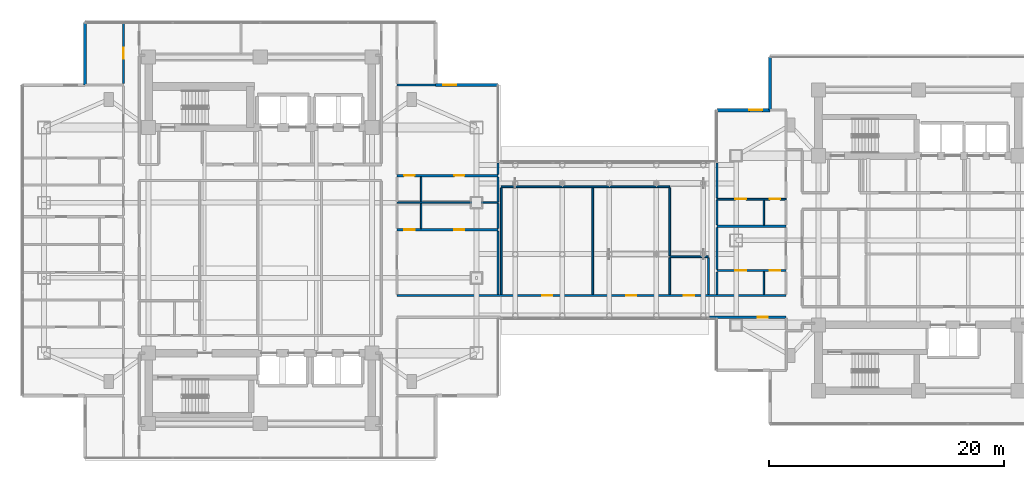
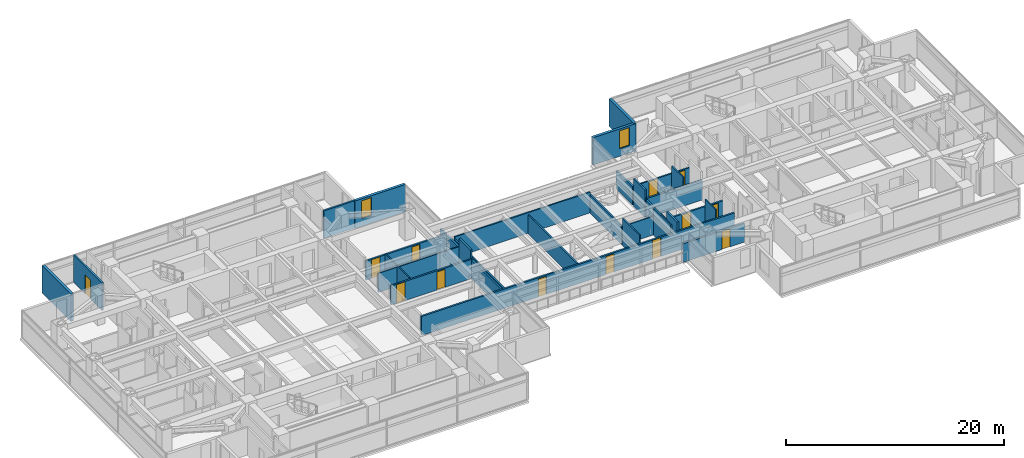
# One storey, part 18 of 29: 33 walls, 13 doors, 2 windows, 15 openings.
"""IFC4 building model written with IfcOpenShell, lengths in metres."""

from ifc_helpers import new_model, si_unit, direction, frame, frame_2d, origin, place, context, subcontext, project, spatial, rectangle, extrude, material, layer, layer_set, type_object, element, fill, save


model = new_model("IFC4")

# Units and contexts
model_context = context("Model", 3, precision=1e-05, world=origin(), true_north=direction((0.0, 1.0)))
body_context = subcontext(model_context, "Body", "Model", "MODEL_VIEW")
ifc_project = project(units=[si_unit("LENGTHUNIT", "METRE"), si_unit("AREAUNIT", "SQUARE_METRE"), si_unit("VOLUMEUNIT", "CUBIC_METRE"), si_unit("PLANEANGLEUNIT", "RADIAN"), si_unit("MASSUNIT", "GRAM", prefix="KILO")], contexts=[model_context])

# Site, building, storey
site_placement = place(None, origin())
site = spatial("IfcSite", under=ifc_project, at=site_placement, CompositionType="ELEMENT")
building_placement = place(site_placement, origin())
building = spatial("IfcBuilding", under=site, at=building_placement, Name="Mirazonda Arch Towers", CompositionType="ELEMENT")
storey_placement = place(building_placement, frame((0.0, 0.0, 88.39990234375)))
storey = spatial("IfcBuildingStorey", under=building, at=storey_placement, Name="L24", CompositionType="ELEMENT", Elevation=88.39990234375)

# Wall
ifc_material_1 = material(Name="Precast Concrete C40/50", Category="concrete")
ifc_layer_1 = layer(ifc_material_1, 0.280029296875, Name="WALL-EXT-WALL-280")
ifc_layer_set_1 = layer_set([ifc_layer_1], Name="Precast Concrete C40/50")
wall_type_1 = type_object("IfcWallType", Name="WALL-EXT-WALL-280", PredefinedType="SOLIDWALL", material=ifc_layer_set_1)
wall_1_placement = place(storey_placement, frame((5.574951171875, 46.530029296875, 0.0), z_axis=(0.0, 0.0, 1.0), x_axis=(0.0, -1.0, 0.0)))
element("IfcWall", 1, at=wall_1_placement, inside=storey, type_object=wall_type_1, Name="L24 T1 Corner Notch Return Wall WL-L24-T1-CNW2", PredefinedType="SOLIDWALL", context=body_context, shape_type="SweptSolid", body=[
    extrude(rectangle(XDim=5.304931640625, YDim=0.280029296875, at=frame_2d((2.65234375, 0.0))), origin(), (0.0, 0.0, 1.0), 3.06005859375),
])

# Wall, opening, window
wall_2_placement = place(storey_placement, frame((40.72998046875, 41.22509765625, 0.0), z_axis=(0.0, 0.0, 1.0), x_axis=(-1.0, 0.0, 0.0)))
wall_2 = element("IfcWall", 2, at=wall_2_placement, inside=storey, type_object=wall_type_1, Name="L24 T1 Corner Notch Return Wall WL-L24-T1-CNE2", PredefinedType="SOLIDWALL", context=body_context, shape_type="SweptSolid", body=[
    extrude(rectangle(XDim=5.304931640625, YDim=0.280029296875, at=frame_2d((2.65234375, 0.0))), origin(), (0.0, 0.0, 1.0), 3.06005859375),
])
opening_1_placement = place(wall_2_placement, frame((3.554931640625, 0.0, 0.85009765625)))
opening_1 = element("IfcOpeningElement", 3, at=opening_1_placement, cuts=wall_2, Name="Opening WN-108", PredefinedType="OPENING", context=body_context, shape_type="SweptSolid", body=[
    extrude(rectangle(XDim=1.10009765625, YDim=2.0, at=frame_2d((0.550048828125, 1.0))), frame((0.0, 0.14990234375, 0.0), z_axis=(0.0, -1.0, 0.0), x_axis=(1.0, 0.0, 0.0)), (0.0, 0.0, 1.0), 0.300048828125),
])
ifc_material_2 = material(Name="Insulated Low-E Solar Glass", Category="glass")
window_type = type_object("IfcWindowType", Name="WIN-NOTCH-1100x2000", PartitioningType="SINGLE_PANEL", PredefinedType="WINDOW", material=ifc_material_2)
window_1_placement = place(opening_1_placement, origin())
window_1 = element("IfcWindow", 4, at=window_1_placement, inside=storey, type_object=window_type, Name="L24 Punched Facade Window WN-L24-T1-CNE2", OverallHeight=2.0, OverallWidth=1.10009765625, PartitioningType="SINGLE_PANEL", PredefinedType="WINDOW", context=body_context, shape_type="SweptSolid", body=[
    extrude(rectangle(XDim=1.10009765625, YDim=2.0, at=frame_2d((0.550048828125, 1.0))), frame((0.0, 0.030029296875, 0.0), z_axis=(0.0, -1.0, 0.0), x_axis=(1.0, 0.0, 0.0)), (0.0, 0.0, 1.0), 0.06005859375),
])
fill(opening_1, window_1)

wall_3_placement = place(storey_placement, frame((63.873779296875, 39.081298828125, 0.0), z_axis=(0.0, 0.0, 1.0), x_axis=(-1.0, 0.0, 0.0)))
wall_3 = element("IfcWall", 5, at=wall_3_placement, inside=storey, type_object=wall_type_1, Name="L24 T2 Corner Notch Return Wall WL-L24-T2-CNW1", PredefinedType="SOLIDWALL", context=body_context, shape_type="SweptSolid", body=[
    extrude(rectangle(XDim=4.516357421875, YDim=0.280029296875, at=frame_2d((2.25830078125, 0.0))), origin(), (0.0, 0.0, 1.0), 3.06005859375),
])
opening_2_placement = place(wall_3_placement, frame((0.64990234375, 0.0, 0.85009765625)))
opening_2 = element("IfcOpeningElement", 6, at=opening_2_placement, cuts=wall_3, Name="Opening WN-108", PredefinedType="OPENING", context=body_context, shape_type="SweptSolid", body=[
    extrude(rectangle(XDim=1.10009765625, YDim=2.0, at=frame_2d((0.550048828125, 1.0))), frame((0.0, 0.14990234375, 0.0), z_axis=(0.0, -1.0, 0.0), x_axis=(1.0, 0.0, 0.0)), (0.0, 0.0, 1.0), 0.300048828125),
])
window_2_placement = place(opening_2_placement, origin())
window_2 = element("IfcWindow", 7, at=window_2_placement, inside=storey, type_object=window_type, Name="L24 Punched Facade Window WN-L24-T2-CNW1", OverallHeight=2.0, OverallWidth=1.10009765625, PartitioningType="SINGLE_PANEL", PredefinedType="WINDOW", context=body_context, shape_type="SweptSolid", body=[
    extrude(rectangle(XDim=1.10009765625, YDim=2.0, at=frame_2d((0.550048828125, 1.0))), frame((0.0, 0.030029296875, 0.0), z_axis=(0.0, -1.0, 0.0), x_axis=(1.0, 0.0, 0.0)), (0.0, 0.0, 1.0), 0.06005859375),
])
fill(opening_2, window_2)

# Walls
wall_4_placement = place(storey_placement, frame((63.873779296875, 43.597412109375, 0.0), z_axis=(0.0, 0.0, 1.0), x_axis=(0.0, -1.0, 0.0)))
element("IfcWall", 8, at=wall_4_placement, inside=storey, type_object=wall_type_1, Name="L24 T2 Corner Notch Return Wall WL-L24-T2-CNW2", PredefinedType="SOLIDWALL", context=body_context, shape_type="SweptSolid", body=[
    extrude(rectangle(XDim=4.51611328125, YDim=0.280029296875, at=frame_2d((2.258056640625, 0.0))), origin(), (0.0, 0.0, 1.0), 3.06005859375),
])
ifc_material_3 = material(Name="Fire-Rated Gypsum Stud Partition")
ifc_layer_2 = layer(ifc_material_3, 0.14990234375, Name="WALL-PART-CORR-150")
ifc_layer_set_2 = layer_set([ifc_layer_2], Name="Fire-Rated Gypsum Stud Partition")
wall_type_2 = type_object("IfcWallType", Name="WALL-PART-CORR-150", PredefinedType="PARTITIONING", material=ifc_layer_set_2)
wall_5_placement = place(storey_placement, frame((55.337890625, 26.60009765625, 0.0), z_axis=(0.0, 0.0, 1.0), x_axis=(1.0, 0.0, 0.0)))
element("IfcWall", 9, at=wall_5_placement, inside=storey, type_object=wall_type_2, Name="L24 Interior Partition 031", PredefinedType="PARTITIONING", context=body_context, shape_type="SweptSolid", body=[
    extrude(rectangle(XDim=3.300048828125, YDim=0.14990234375, at=frame_2d((1.64990234375, 0.0))), origin(), (0.0, 0.0, 1.0), 2.085205078125),
])

# Wall, openings, doors
wall_6_placement = place(storey_placement, frame((59.35791015625, 31.5, 0.0), z_axis=(0.0, 0.0, 1.0), x_axis=(1.0, 0.0, 0.0)))
wall_6 = element("IfcWall", 10, at=wall_6_placement, inside=storey, type_object=wall_type_2, Name="L24 Interior Partition 041", PredefinedType="PARTITIONING", context=body_context, shape_type="SweptSolid", body=[
    extrude(rectangle(XDim=5.89208984375, YDim=0.14990234375, at=frame_2d((2.946044921875, 0.0))), origin(), (0.0, 0.0, 1.0), 2.216064453125),
])
opening_3_placement = place(wall_6_placement, frame((1.548583984375, 0.0, 0.0)))
opening_3 = element("IfcOpeningElement", 11, at=opening_3_placement, cuts=wall_6, Name="Opening DR-104", PredefinedType="OPENING", context=body_context, shape_type="SweptSolid", body=[
    extrude(rectangle(XDim=0.949951171875, YDim=2.14990234375, at=frame_2d((0.47509765625, 1.074951171875))), frame((0.0, 0.0849609375, 0.0), z_axis=(0.0, -1.0, 0.0), x_axis=(1.0, 0.0, 0.0)), (0.0, 0.0, 1.0), 0.169921875),
])
opening_4_placement = place(wall_6_placement, frame((4.4794921875, 0.0, 0.0)))
opening_4 = element("IfcOpeningElement", 12, at=opening_4_placement, cuts=wall_6, Name="Opening DR-120", PredefinedType="OPENING", context=body_context, shape_type="SweptSolid", body=[
    extrude(rectangle(XDim=0.89990234375, YDim=2.10009765625, at=frame_2d((0.449951171875, 1.050048828125))), frame((0.0, 0.0849609375, 0.0), z_axis=(0.0, -1.0, 0.0), x_axis=(1.0, 0.0, 0.0)), (0.0, 0.0, 1.0), 0.169921875),
])
ifc_material_4 = material(Name="Architectural Brushed Steel S355", Category="steel")
door_type_1 = type_object("IfcDoorType", Name="DOOR-ROOM-950", OperationType="NOTDEFINED", PredefinedType="DOOR", material=ifc_material_4)
door_1_placement = place(opening_3_placement, origin())
door_1 = element("IfcDoor", 13, at=door_1_placement, inside=storey, type_object=door_type_1, Name="L24 Guestroom Study 2 Door", OperationType="SINGLE_SWING_LEFT", OverallHeight=2.14990234375, OverallWidth=0.949951171875, PredefinedType="DOOR", context=body_context, shape_type="SweptSolid", body=[
    extrude(rectangle(XDim=0.949951171875, YDim=2.14990234375, at=frame_2d((0.47509765625, 1.074951171875))), frame((0.0, 0.02490234375, 0.0), z_axis=(0.0, -1.0, 0.0), x_axis=(1.0, 0.0, 0.0)), (0.0, 0.0, 1.0), 0.050048828125),
])
fill(opening_3, door_1)
door_type_2 = type_object("IfcDoorType", Name="DOOR-WC-900", OperationType="NOTDEFINED", PredefinedType="DOOR", material=ifc_material_4)
door_2_placement = place(opening_4_placement, origin())
door_2 = element("IfcDoor", 14, at=door_2_placement, inside=storey, type_object=door_type_2, Name="L24 En-Suite Bathroom 2 Door", OperationType="SINGLE_SWING_RIGHT", OverallHeight=2.10009765625, OverallWidth=0.89990234375, PredefinedType="DOOR", context=body_context, shape_type="SweptSolid", body=[
    extrude(rectangle(XDim=0.89990234375, YDim=2.10009765625, at=frame_2d((0.449951171875, 1.050048828125))), frame((0.0, 0.02490234375, 0.0), z_axis=(0.0, -1.0, 0.0), x_axis=(1.0, 0.0, 0.0)), (0.0, 0.0, 1.0), 0.050048828125),
])
fill(opening_4, door_2)

# Walls
wall_7_placement = place(storey_placement, frame((41.0, 32.550048828125, 0.0), z_axis=(0.0, 0.0, 1.0), x_axis=(1.0, 0.0, 0.0)))
element("IfcWall", 15, at=wall_7_placement, inside=storey, type_object=wall_type_2, Name="L24 Interior Partition 044", PredefinedType="PARTITIONING", context=body_context, shape_type="SweptSolid", body=[
    extrude(rectangle(XDim=14.337890625, YDim=0.14990234375, at=frame_2d((7.1689453125, 0.0))), origin(), (0.0, 0.0, 1.0), 2.316162109375),
])
for number, where, z_axis, x_axis, name in (
    (16, (41.0, 23.39990234375, 0.0), (0.0, 0.0, 1.0), (0.0, 1.0, 0.0), "L24 Interior Partition 124"),
    (17, (48.800048828125, 23.39990234375, 0.0), (0.0, 0.0, 1.0), (0.0, 1.0, 0.0), "L24 Interior Partition 125"),
):
    element("IfcWall", number, at=place(storey_placement, frame(where, z_axis=z_axis, x_axis=x_axis)), inside=storey, type_object=wall_type_2, Name=name, PredefinedType="PARTITIONING", context=body_context, shape_type="SweptSolid", body=[
        extrude(rectangle(XDim=9.065185546875, YDim=0.14990234375, at=frame_2d((4.53271484375, 0.0))), origin(), (0.0, 0.0, 1.0), 2.085205078125),
    ])
wall_8_placement = place(storey_placement, frame((55.337890625, 23.39990234375, 0.0), z_axis=(0.0, 0.0, 1.0), x_axis=(0.0, 1.0, 0.0)))
element("IfcWall", 18, at=wall_8_placement, inside=storey, type_object=wall_type_2, Name="L24 Interior Partition 126", PredefinedType="PARTITIONING", context=body_context, shape_type="SweptSolid", body=[
    extrude(rectangle(XDim=3.114990234375, YDim=0.14990234375, at=frame_2d((1.5576171875, 0.0))), origin(), (0.0, 0.0, 1.0), 3.02001953125),
])
wall_9_placement = place(storey_placement, frame((55.337890625, 26.68505859375, 0.0), z_axis=(0.0, 0.0, 1.0), x_axis=(0.0, 1.0, 0.0)))
element("IfcWall", 19, at=wall_9_placement, inside=storey, type_object=wall_type_2, Name="L24 Interior Partition 127", PredefinedType="PARTITIONING", context=body_context, shape_type="SweptSolid", body=[
    extrude(rectangle(XDim=5.780029296875, YDim=0.14990234375, at=frame_2d((2.89013671875, 0.0))), origin(), (0.0, 0.0, 1.0), 2.085205078125),
])
wall_10_placement = place(storey_placement, frame((58.637939453125, 23.39990234375, 0.0), z_axis=(0.0, 0.0, 1.0), x_axis=(0.0, 1.0, 0.0)))
element("IfcWall", 20, at=wall_10_placement, inside=storey, type_object=wall_type_2, Name="L24 Interior Partition 128", PredefinedType="PARTITIONING", context=body_context, shape_type="SweptSolid", body=[
    extrude(rectangle(XDim=3.114990234375, YDim=0.14990234375, at=frame_2d((1.5576171875, 0.0))), origin(), (0.0, 0.0, 1.0), 3.02001953125),
])

# Wall, opening, door
ifc_material_5 = material(Name="Fire-Rated Gypsum Twin-Stud Assembly")
ifc_layer_3 = layer(ifc_material_5, 0.179931640625, Name="WALL-PART-DEMISE-180")
ifc_layer_set_3 = layer_set([ifc_layer_3], Name="Fire-Rated Gypsum Twin-Stud Assembly")
wall_type_3 = type_object("IfcWallType", Name="WALL-PART-DEMISE-180", PredefinedType="PARTITIONING", material=ifc_layer_set_3)
wall_11_placement = place(storey_placement, frame((58.737548828125, 21.449951171875, 0.0), z_axis=(0.0, 0.0, 1.0), x_axis=(1.0, 0.0, 0.0)))
wall_11 = element("IfcWall", 21, at=wall_11_placement, inside=storey, type_object=wall_type_3, Name="L24 Interior Partition 022", PredefinedType="PARTITIONING", context=body_context, shape_type="SweptSolid", body=[
    extrude(rectangle(XDim=6.512451171875, YDim=0.179931640625, at=frame_2d((3.25634765625, 0.0))), origin(), (0.0, 0.0, 1.0), 2.085205078125),
])
opening_5_placement = place(wall_11_placement, frame((4.117431640625, 0.0, 0.0)))
opening_5 = element("IfcOpeningElement", 22, at=opening_5_placement, cuts=wall_11, Name="Opening DR-128", PredefinedType="OPENING", context=body_context, shape_type="SweptSolid", body=[
    extrude(rectangle(XDim=0.85009765625, YDim=2.010009765625, at=frame_2d((0.425048828125, 1.0048828125))), frame((0.0, 0.099853515625, 0.0), z_axis=(0.0, -1.0, 0.0), x_axis=(1.0, 0.0, 0.0)), (0.0, 0.0, 1.0), 0.199951171875),
])
door_type_3 = type_object("IfcDoorType", Name="DOOR-RISER-FD60-850", OperationType="NOTDEFINED", PredefinedType="DOOR", material=ifc_material_4)
door_3_placement = place(opening_5_placement, origin())
door_3 = element("IfcDoor", 23, at=door_3_placement, inside=storey, type_object=door_type_3, Name="L24 L24 South-West Sky-Bridge Club Salon Door", OperationType="SINGLE_SWING_RIGHT", OverallHeight=2.010009765625, OverallWidth=0.85009765625, PredefinedType="DOOR", context=body_context, shape_type="SweptSolid", body=[
    extrude(rectangle(XDim=0.85009765625, YDim=2.010009765625, at=frame_2d((0.425048828125, 1.0048828125))), frame((0.0, 0.02490234375, 0.0), z_axis=(0.0, -1.0, 0.0), x_axis=(1.0, 0.0, 0.0)), (0.0, 0.0, 1.0), 0.050048828125),
])
fill(opening_5, door_3)

# Wall, openings, doors
wall_12_placement = place(storey_placement, frame((32.139892578125, 23.300048828125, 0.0), z_axis=(0.0, 0.0, 1.0), x_axis=(1.0, 0.0, 0.0)))
wall_12 = element("IfcWall", 24, at=wall_12_placement, inside=storey, type_object=wall_type_3, Name="L24 Interior Partition 026", PredefinedType="PARTITIONING", context=body_context, shape_type="SweptSolid", body=[
    extrude(rectangle(XDim=33.110107421875, YDim=0.179931640625, at=frame_2d((16.55517578125, 0.0))), origin(), (0.0, 0.0, 1.0), 2.14501953125),
])
opening_6_placement = place(wall_12_placement, frame((12.3349609375, 0.0, 0.0)))
opening_6 = element("IfcOpeningElement", 25, at=opening_6_placement, cuts=wall_12, Name="Opening DR-128", PredefinedType="OPENING", context=body_context, shape_type="SweptSolid", body=[
    extrude(rectangle(XDim=0.85009765625, YDim=2.010009765625, at=frame_2d((0.425048828125, 1.0048828125))), frame((0.0, 0.099853515625, 0.0), z_axis=(0.0, -1.0, 0.0), x_axis=(1.0, 0.0, 0.0)), (0.0, 0.0, 1.0), 0.199951171875),
])
opening_7_placement = place(wall_12_placement, frame((19.50390625, 0.0, 0.0)))
opening_7 = element("IfcOpeningElement", 26, at=opening_7_placement, cuts=wall_12, Name="Opening DR-128", PredefinedType="OPENING", context=body_context, shape_type="SweptSolid", body=[
    extrude(rectangle(XDim=0.85009765625, YDim=2.010009765625, at=frame_2d((0.425048828125, 1.0048828125))), frame((0.0, 0.099853515625, 0.0), z_axis=(0.0, -1.0, 0.0), x_axis=(1.0, 0.0, 0.0)), (0.0, 0.0, 1.0), 0.199951171875),
])
opening_8_placement = place(wall_12_placement, frame((24.39794921875, 0.0, 0.0)))
opening_8 = element("IfcOpeningElement", 27, at=opening_8_placement, cuts=wall_12, Name="Opening DR-120", PredefinedType="OPENING", context=body_context, shape_type="SweptSolid", body=[
    extrude(rectangle(XDim=0.89990234375, YDim=2.10009765625, at=frame_2d((0.449951171875, 1.050048828125))), frame((0.0, 0.099853515625, 0.0), z_axis=(0.0, -1.0, 0.0), x_axis=(1.0, 0.0, 0.0)), (0.0, 0.0, 1.0), 0.199951171875),
])
door_4_placement = place(opening_6_placement, origin())
door_4 = element("IfcDoor", 28, at=door_4_placement, inside=storey, type_object=door_type_3, Name="L24 L24 Sky-Garden West Lounge Door", OperationType="SINGLE_SWING_LEFT", OverallHeight=2.010009765625, OverallWidth=0.85009765625, PredefinedType="DOOR", context=body_context, shape_type="SweptSolid", body=[
    extrude(rectangle(XDim=0.85009765625, YDim=2.010009765625, at=frame_2d((0.425048828125, 1.0048828125))), frame((0.0, 0.02490234375, 0.0), z_axis=(0.0, -1.0, 0.0), x_axis=(1.0, 0.0, 0.0)), (0.0, 0.0, 1.0), 0.050048828125),
])
fill(opening_6, door_4)
door_5_placement = place(opening_7_placement, origin())
door_5 = element("IfcDoor", 29, at=door_5_placement, inside=storey, type_object=door_type_3, Name="L24 L24 Sky-Bridge Central Atrium Lounge Door", OperationType="SINGLE_SWING_RIGHT", OverallHeight=2.010009765625, OverallWidth=0.85009765625, PredefinedType="DOOR", context=body_context, shape_type="SweptSolid", body=[
    extrude(rectangle(XDim=0.85009765625, YDim=2.010009765625, at=frame_2d((0.425048828125, 1.0048828125))), frame((0.0, 0.02490234375, 0.0), z_axis=(0.0, -1.0, 0.0), x_axis=(1.0, 0.0, 0.0)), (0.0, 0.0, 1.0), 0.050048828125),
])
fill(opening_7, door_5)
door_6_placement = place(opening_8_placement, origin())
door_6 = element("IfcDoor", 30, at=door_6_placement, inside=storey, type_object=door_type_2, Name="L24 L24 Skybridge Accessible WC Door", OperationType="SINGLE_SWING_LEFT", OverallHeight=2.10009765625, OverallWidth=0.89990234375, PredefinedType="DOOR", context=body_context, shape_type="SweptSolid", body=[
    extrude(rectangle(XDim=0.89990234375, YDim=2.10009765625, at=frame_2d((0.449951171875, 1.050048828125))), frame((0.0, 0.02490234375, 0.0), z_axis=(0.0, -1.0, 0.0), x_axis=(1.0, 0.0, 0.0)), (0.0, 0.0, 1.0), 0.050048828125),
])
fill(opening_8, door_6)

wall_13_placement = place(storey_placement, frame((59.35791015625, 25.424072265625, 0.0), z_axis=(0.0, 0.0, 1.0), x_axis=(1.0, 0.0, 0.0)))
wall_13 = element("IfcWall", 31, at=wall_13_placement, inside=storey, type_object=wall_type_3, Name="L24 Interior Partition 030", PredefinedType="PARTITIONING", context=body_context, shape_type="SweptSolid", body=[
    extrude(rectangle(XDim=5.89208984375, YDim=0.179931640625, at=frame_2d((2.946044921875, 0.0))), origin(), (0.0, 0.0, 1.0), 2.216064453125),
])
opening_9_placement = place(wall_13_placement, frame((1.548583984375, 0.0, 0.0)))
opening_9 = element("IfcOpeningElement", 32, at=opening_9_placement, cuts=wall_13, Name="Opening DR-104", PredefinedType="OPENING", context=body_context, shape_type="SweptSolid", body=[
    extrude(rectangle(XDim=0.949951171875, YDim=2.14990234375, at=frame_2d((0.47509765625, 1.074951171875))), frame((0.0, 0.099853515625, 0.0), z_axis=(0.0, -1.0, 0.0), x_axis=(1.0, 0.0, 0.0)), (0.0, 0.0, 1.0), 0.199951171875),
])
opening_10_placement = place(wall_13_placement, frame((4.4794921875, 0.0, 0.0)))
opening_10 = element("IfcOpeningElement", 33, at=opening_10_placement, cuts=wall_13, Name="Opening DR-120", PredefinedType="OPENING", context=body_context, shape_type="SweptSolid", body=[
    extrude(rectangle(XDim=0.89990234375, YDim=2.10009765625, at=frame_2d((0.449951171875, 1.050048828125))), frame((0.0, 0.099853515625, 0.0), z_axis=(0.0, -1.0, 0.0), x_axis=(1.0, 0.0, 0.0)), (0.0, 0.0, 1.0), 0.199951171875),
])
door_7_placement = place(opening_9_placement, origin())
door_7 = element("IfcDoor", 34, at=door_7_placement, inside=storey, type_object=door_type_1, Name="L24 Guestroom Study 1 Door", OperationType="SINGLE_SWING_RIGHT", OverallHeight=2.14990234375, OverallWidth=0.949951171875, PredefinedType="DOOR", context=body_context, shape_type="SweptSolid", body=[
    extrude(rectangle(XDim=0.949951171875, YDim=2.14990234375, at=frame_2d((0.47509765625, 1.074951171875))), frame((0.0, 0.02490234375, 0.0), z_axis=(0.0, -1.0, 0.0), x_axis=(1.0, 0.0, 0.0)), (0.0, 0.0, 1.0), 0.050048828125),
])
fill(opening_9, door_7)
door_8_placement = place(opening_10_placement, origin())
door_8 = element("IfcDoor", 35, at=door_8_placement, inside=storey, type_object=door_type_2, Name="L24 En-Suite Bathroom 1 Door", OperationType="SINGLE_SWING_LEFT", OverallHeight=2.10009765625, OverallWidth=0.89990234375, PredefinedType="DOOR", context=body_context, shape_type="SweptSolid", body=[
    extrude(rectangle(XDim=0.89990234375, YDim=2.10009765625, at=frame_2d((0.449951171875, 1.050048828125))), frame((0.0, 0.02490234375, 0.0), z_axis=(0.0, -1.0, 0.0), x_axis=(1.0, 0.0, 0.0)), (0.0, 0.0, 1.0), 0.050048828125),
])
fill(opening_10, door_8)

wall_14_placement = place(storey_placement, frame((32.139892578125, 28.89990234375, 0.0), z_axis=(0.0, 0.0, 1.0), x_axis=(1.0, 0.0, 0.0)))
wall_14 = element("IfcWall", 36, at=wall_14_placement, inside=storey, type_object=wall_type_3, Name="L24 Interior Partition 035", PredefinedType="PARTITIONING", context=body_context, shape_type="SweptSolid", body=[
    extrude(rectangle(XDim=8.590087890625, YDim=0.179931640625, at=frame_2d((4.294921875, 0.0))), origin(), (0.0, 0.0, 1.0), 2.14501953125),
])
opening_11_placement = place(wall_14_placement, frame((4.8701171875, 0.0, 0.0)))
opening_11 = element("IfcOpeningElement", 37, at=opening_11_placement, cuts=wall_14, Name="Opening DR-128", PredefinedType="OPENING", context=body_context, shape_type="SweptSolid", body=[
    extrude(rectangle(XDim=0.85009765625, YDim=2.010009765625, at=frame_2d((0.425048828125, 1.0048828125))), frame((0.0, 0.099853515625, 0.0), z_axis=(0.0, -1.0, 0.0), x_axis=(1.0, 0.0, 0.0)), (0.0, 0.0, 1.0), 0.199951171875),
])
opening_12_placement = place(wall_14_placement, frame((0.590087890625, 0.0, 0.0)))
opening_12 = element("IfcOpeningElement", 38, at=opening_12_placement, cuts=wall_14, Name="Opening DR-120", PredefinedType="OPENING", context=body_context, shape_type="SweptSolid", body=[
    extrude(rectangle(XDim=0.89990234375, YDim=2.10009765625, at=frame_2d((0.449951171875, 1.050048828125))), frame((0.0, 0.099853515625, 0.0), z_axis=(0.0, -1.0, 0.0), x_axis=(1.0, 0.0, 0.0)), (0.0, 0.0, 1.0), 0.199951171875),
])
door_9_placement = place(opening_11_placement, origin())
door_9 = element("IfcDoor", 39, at=door_9_placement, inside=storey, type_object=door_type_3, Name="L24 Suite Bedroom 1 Door", OperationType="SINGLE_SWING_RIGHT", OverallHeight=2.010009765625, OverallWidth=0.85009765625, PredefinedType="DOOR", context=body_context, shape_type="SweptSolid", body=[
    extrude(rectangle(XDim=0.85009765625, YDim=2.010009765625, at=frame_2d((0.425048828125, 1.0048828125))), frame((0.0, 0.02490234375, 0.0), z_axis=(0.0, -1.0, 0.0), x_axis=(1.0, 0.0, 0.0)), (0.0, 0.0, 1.0), 0.050048828125),
])
fill(opening_11, door_9)
door_10_placement = place(opening_12_placement, origin())
door_10 = element("IfcDoor", 40, at=door_10_placement, inside=storey, type_object=door_type_2, Name="L24 Suite En-Suite Bathroom 1 Door", OperationType="SINGLE_SWING_LEFT", OverallHeight=2.10009765625, OverallWidth=0.89990234375, PredefinedType="DOOR", context=body_context, shape_type="SweptSolid", body=[
    extrude(rectangle(XDim=0.89990234375, YDim=2.10009765625, at=frame_2d((0.449951171875, 1.050048828125))), frame((0.0, 0.02490234375, 0.0), z_axis=(0.0, -1.0, 0.0), x_axis=(1.0, 0.0, 0.0)), (0.0, 0.0, 1.0), 0.050048828125),
])
fill(opening_12, door_10)

# Wall
wall_15_placement = place(storey_placement, frame((59.35791015625, 29.199951171875, 0.0), z_axis=(0.0, 0.0, 1.0), x_axis=(1.0, 0.0, 0.0)))
element("IfcWall", 41, at=wall_15_placement, inside=storey, type_object=wall_type_3, Name="L24 Interior Partition 036", PredefinedType="PARTITIONING", context=body_context, shape_type="SweptSolid", body=[
    extrude(rectangle(XDim=5.89208984375, YDim=0.179931640625, at=frame_2d((2.946044921875, 0.0))), origin(), (0.0, 0.0, 1.0), 2.216064453125),
])

# Wall, openings, doors
wall_16_placement = place(storey_placement, frame((32.139892578125, 33.5, 0.0), z_axis=(0.0, 0.0, 1.0), x_axis=(1.0, 0.0, 0.0)))
wall_16 = element("IfcWall", 42, at=wall_16_placement, inside=storey, type_object=wall_type_3, Name="L24 Interior Partition 047", PredefinedType="PARTITIONING", context=body_context, shape_type="SweptSolid", body=[
    extrude(rectangle(XDim=8.590087890625, YDim=0.179931640625, at=frame_2d((4.294921875, 0.0))), origin(), (0.0, 0.0, 1.0), 2.14501953125),
])
opening_13_placement = place(wall_16_placement, frame((4.8701171875, 0.0, 0.0)))
opening_13 = element("IfcOpeningElement", 43, at=opening_13_placement, cuts=wall_16, Name="Opening DR-128", PredefinedType="OPENING", context=body_context, shape_type="SweptSolid", body=[
    extrude(rectangle(XDim=0.85009765625, YDim=2.010009765625, at=frame_2d((0.425048828125, 1.0048828125))), frame((0.0, 0.099853515625, 0.0), z_axis=(0.0, -1.0, 0.0), x_axis=(1.0, 0.0, 0.0)), (0.0, 0.0, 1.0), 0.199951171875),
])
opening_14_placement = place(wall_16_placement, frame((0.590087890625, 0.0, 0.0)))
opening_14 = element("IfcOpeningElement", 44, at=opening_14_placement, cuts=wall_16, Name="Opening DR-120", PredefinedType="OPENING", context=body_context, shape_type="SweptSolid", body=[
    extrude(rectangle(XDim=0.89990234375, YDim=2.10009765625, at=frame_2d((0.449951171875, 1.050048828125))), frame((0.0, 0.099853515625, 0.0), z_axis=(0.0, -1.0, 0.0), x_axis=(1.0, 0.0, 0.0)), (0.0, 0.0, 1.0), 0.199951171875),
])
door_11_placement = place(opening_13_placement, origin())
door_11 = element("IfcDoor", 45, at=door_11_placement, inside=storey, type_object=door_type_3, Name="L24 Suite Bedroom 2 Door", OperationType="SINGLE_SWING_LEFT", OverallHeight=2.010009765625, OverallWidth=0.85009765625, PredefinedType="DOOR", context=body_context, shape_type="SweptSolid", body=[
    extrude(rectangle(XDim=0.85009765625, YDim=2.010009765625, at=frame_2d((0.425048828125, 1.0048828125))), frame((0.0, 0.02490234375, 0.0), z_axis=(0.0, -1.0, 0.0), x_axis=(1.0, 0.0, 0.0)), (0.0, 0.0, 1.0), 0.050048828125),
])
fill(opening_13, door_11)
door_12_placement = place(opening_14_placement, origin())
door_12 = element("IfcDoor", 46, at=door_12_placement, inside=storey, type_object=door_type_2, Name="L24 Suite En-Suite Bathroom 2 Door", OperationType="SINGLE_SWING_RIGHT", OverallHeight=2.10009765625, OverallWidth=0.89990234375, PredefinedType="DOOR", context=body_context, shape_type="SweptSolid", body=[
    extrude(rectangle(XDim=0.89990234375, YDim=2.10009765625, at=frame_2d((0.449951171875, 1.050048828125))), frame((0.0, 0.02490234375, 0.0), z_axis=(0.0, -1.0, 0.0), x_axis=(1.0, 0.0, 0.0)), (0.0, 0.0, 1.0), 0.050048828125),
])
fill(opening_14, door_12)

# Wall
wall_17_placement = place(storey_placement, frame((32.139892578125, 41.22509765625, 0.0), z_axis=(0.0, 0.0, 1.0), x_axis=(1.0, 0.0, 0.0)))
element("IfcWall", 47, at=wall_17_placement, inside=storey, type_object=wall_type_3, Name="L24 Interior Partition 062", PredefinedType="PARTITIONING", context=body_context, shape_type="SweptSolid", body=[
    extrude(rectangle(XDim=3.26513671875, YDim=0.179931640625, at=frame_2d((1.632568359375, 0.0))), origin(), (0.0, 0.0, 1.0), 3.080078125),
])

# Wall, opening, door
wall_18_placement = place(storey_placement, frame((8.860107421875, 41.324951171875, 0.0), z_axis=(0.0, 0.0, 1.0), x_axis=(0.0, 1.0, 0.0)))
wall_18 = element("IfcWall", 48, at=wall_18_placement, inside=storey, type_object=wall_type_3, Name="L24 Interior Partition 078", PredefinedType="PARTITIONING", context=body_context, shape_type="SweptSolid", body=[
    extrude(rectangle(XDim=5.205078125, YDim=0.179931640625, at=frame_2d((2.6025390625, 0.0))), origin(), (0.0, 0.0, 1.0), 3.080078125),
])
opening_15_placement = place(wall_18_placement, frame((2.12744140625, 0.0, 0.0)))
opening_15 = element("IfcOpeningElement", 49, at=opening_15_placement, cuts=wall_18, Name="Opening DR-104", PredefinedType="OPENING", context=body_context, shape_type="SweptSolid", body=[
    extrude(rectangle(XDim=0.949951171875, YDim=2.14990234375, at=frame_2d((0.47509765625, 1.074951171875))), frame((0.0, 0.099853515625, 0.0), z_axis=(0.0, -1.0, 0.0), x_axis=(1.0, 0.0, 0.0)), (0.0, 0.0, 1.0), 0.199951171875),
])
door_13_placement = place(opening_15_placement, origin())
door_13 = element("IfcDoor", 50, at=door_13_placement, inside=storey, type_object=door_type_1, Name="L24 North Reading Salon Alcove West Door", OperationType="SINGLE_SWING_LEFT", OverallHeight=2.14990234375, OverallWidth=0.949951171875, PredefinedType="DOOR", context=body_context, shape_type="SweptSolid", body=[
    extrude(rectangle(XDim=0.949951171875, YDim=2.14990234375, at=frame_2d((0.47509765625, 1.074951171875))), frame((0.0, 0.02490234375, 0.0), z_axis=(0.0, -1.0, 0.0), x_axis=(1.0, 0.0, 0.0)), (0.0, 0.0, 1.0), 0.050048828125),
])
fill(opening_15, door_13)

# Walls
wall_19_placement = place(storey_placement, frame((40.72998046875, 23.39990234375, 0.0), z_axis=(0.0, 0.0, 1.0), x_axis=(0.0, 1.0, 0.0)))
element("IfcWall", 51, at=wall_19_placement, inside=storey, type_object=wall_type_3, Name="L24 Interior Partition 120", PredefinedType="PARTITIONING", context=body_context, shape_type="SweptSolid", body=[
    extrude(rectangle(XDim=5.400146484375, YDim=0.179931640625, at=frame_2d((2.7001953125, 0.0))), origin(), (0.0, 0.0, 1.0), 2.085205078125),
])
wall_20_placement = place(storey_placement, frame((40.72998046875, 29.0, 0.0), z_axis=(0.0, 0.0, 1.0), x_axis=(0.0, 1.0, 0.0)))
element("IfcWall", 52, at=wall_20_placement, inside=storey, type_object=wall_type_3, Name="L24 Interior Partition 121", PredefinedType="PARTITIONING", context=body_context, shape_type="SweptSolid", body=[
    extrude(rectangle(XDim=2.12744140625, YDim=0.179931640625, at=frame_2d((1.063720703125, 0.0))), origin(), (0.0, 0.0, 1.0), 3.080078125),
])
wall_21_placement = place(storey_placement, frame((40.72998046875, 31.2724609375, 0.0), z_axis=(0.0, 0.0, 1.0), x_axis=(0.0, 1.0, 0.0)))
element("IfcWall", 53, at=wall_21_placement, inside=storey, type_object=wall_type_3, Name="L24 Interior Partition 122", PredefinedType="PARTITIONING", context=body_context, shape_type="SweptSolid", body=[
    extrude(rectangle(XDim=2.12744140625, YDim=0.179931640625, at=frame_2d((1.063720703125, 0.0))), origin(), (0.0, 0.0, 1.0), 2.085205078125),
])
wall_22_placement = place(storey_placement, frame((40.72998046875, 33.60009765625, 0.0), z_axis=(0.0, 0.0, 1.0), x_axis=(0.0, 1.0, 0.0)))
element("IfcWall", 54, at=wall_22_placement, inside=storey, type_object=wall_type_3, Name="L24 Interior Partition 123", PredefinedType="PARTITIONING", context=body_context, shape_type="SweptSolid", body=[
    extrude(rectangle(XDim=0.989990234375, YDim=0.179931640625, at=frame_2d((0.4951171875, 0.0))), origin(), (0.0, 0.0, 1.0), 2.085205078125),
])
wall_23_placement = place(storey_placement, frame((59.35791015625, 23.39990234375, 0.0), z_axis=(0.0, 0.0, 1.0), x_axis=(0.0, 1.0, 0.0)))
element("IfcWall", 55, at=wall_23_placement, inside=storey, type_object=wall_type_3, Name="L24 Interior Partition 129", PredefinedType="PARTITIONING", context=body_context, shape_type="SweptSolid", body=[
    extrude(rectangle(XDim=1.924072265625, YDim=0.179931640625, at=frame_2d((0.9619140625, 0.0))), origin(), (0.0, 0.0, 1.0), 3.080078125),
])
wall_24_placement = place(storey_placement, frame((59.35791015625, 25.52392578125, 0.0), z_axis=(0.0, 0.0, 1.0), x_axis=(0.0, 1.0, 0.0)))
element("IfcWall", 56, at=wall_24_placement, inside=storey, type_object=wall_type_3, Name="L24 Interior Partition 130", PredefinedType="PARTITIONING", context=body_context, shape_type="SweptSolid", body=[
    extrude(rectangle(XDim=3.576171875, YDim=0.179931640625, at=frame_2d((1.7880859375, 0.0))), origin(), (0.0, 0.0, 1.0), 2.085205078125),
])
wall_25_placement = place(storey_placement, frame((59.35791015625, 29.300048828125, 0.0), z_axis=(0.0, 0.0, 1.0), x_axis=(0.0, 1.0, 0.0)))
element("IfcWall", 57, at=wall_25_placement, inside=storey, type_object=wall_type_3, Name="L24 Interior Partition 131", PredefinedType="PARTITIONING", context=body_context, shape_type="SweptSolid", body=[
    extrude(rectangle(XDim=2.114990234375, YDim=0.179931640625, at=frame_2d((1.0576171875, 0.0))), origin(), (0.0, 0.0, 1.0), 3.080078125),
])
wall_26_placement = place(storey_placement, frame((59.35791015625, 31.5849609375, 0.0), z_axis=(0.0, 0.0, 1.0), x_axis=(0.0, 1.0, 0.0)))
element("IfcWall", 58, at=wall_26_placement, inside=storey, type_object=wall_type_3, Name="L24 Interior Partition 132", PredefinedType="PARTITIONING", context=body_context, shape_type="SweptSolid", body=[
    extrude(rectangle(XDim=3.005126953125, YDim=0.179931640625, at=frame_2d((1.50244140625, 0.0))), origin(), (0.0, 0.0, 1.0), 2.085205078125),
])
ifc_material_6 = material(Name="Acoustic Fire-Rated Gypsum Partition")
ifc_layer_4 = layer(ifc_material_6, 0.125, Name="WALL-PART-UNIT-125")
ifc_layer_set_4 = layer_set([ifc_layer_4], Name="Acoustic Fire-Rated Gypsum Partition")
wall_type_4 = type_object("IfcWallType", Name="WALL-PART-UNIT-125", PredefinedType="PARTITIONING", material=ifc_layer_set_4)
wall_27_placement = place(storey_placement, frame((32.139892578125, 31.199951171875, 0.0), z_axis=(0.0, 0.0, 1.0), x_axis=(1.0, 0.0, 0.0)))
element("IfcWall", 59, at=wall_27_placement, inside=storey, type_object=wall_type_4, Name="L24 Interior Partition 040", PredefinedType="PARTITIONING", context=body_context, shape_type="SweptSolid", body=[
    extrude(rectangle(XDim=8.590087890625, YDim=0.125, at=frame_2d((4.294921875, 0.0))), origin(), (0.0, 0.0, 1.0), 2.14501953125),
])
for number, where, z_axis, x_axis, name in (
    (60, (34.179931640625, 29.0, 0.0), (0.0, 0.0, 1.0), (0.0, 1.0, 0.0), "L24 Interior Partition 118"),
    (61, (34.179931640625, 31.2724609375, 0.0), (0.0, 0.0, 1.0), (0.0, 1.0, 0.0), "L24 Interior Partition 119"),
):
    element("IfcWall", number, at=place(storey_placement, frame(where, z_axis=z_axis, x_axis=x_axis)), inside=storey, type_object=wall_type_4, Name=name, PredefinedType="PARTITIONING", context=body_context, shape_type="SweptSolid", body=[
        extrude(rectangle(XDim=2.12744140625, YDim=0.125, at=frame_2d((1.063720703125, 0.0))), origin(), (0.0, 0.0, 1.0), 2.299072265625),
    ])
wall_28_placement = place(storey_placement, frame((63.364990234375, 23.39990234375, 0.0), z_axis=(0.0, 0.0, 1.0), x_axis=(0.0, 1.0, 0.0)))
element("IfcWall", 62, at=wall_28_placement, inside=storey, type_object=wall_type_4, Name="L24 Interior Partition 133", PredefinedType="PARTITIONING", context=body_context, shape_type="SweptSolid", body=[
    extrude(rectangle(XDim=1.924072265625, YDim=0.125, at=frame_2d((0.9619140625, 0.0))), origin(), (0.0, 0.0, 1.0), 3.080078125),
])
wall_29_placement = place(storey_placement, frame((63.364990234375, 29.300048828125, 0.0), z_axis=(0.0, 0.0, 1.0), x_axis=(0.0, 1.0, 0.0)))
element("IfcWall", 63, at=wall_29_placement, inside=storey, type_object=wall_type_4, Name="L24 Interior Partition 134", PredefinedType="PARTITIONING", context=body_context, shape_type="SweptSolid", body=[
    extrude(rectangle(XDim=2.114990234375, YDim=0.125, at=frame_2d((1.0576171875, 0.0))), origin(), (0.0, 0.0, 1.0), 3.080078125),
])

save(model, "model.ifc")
